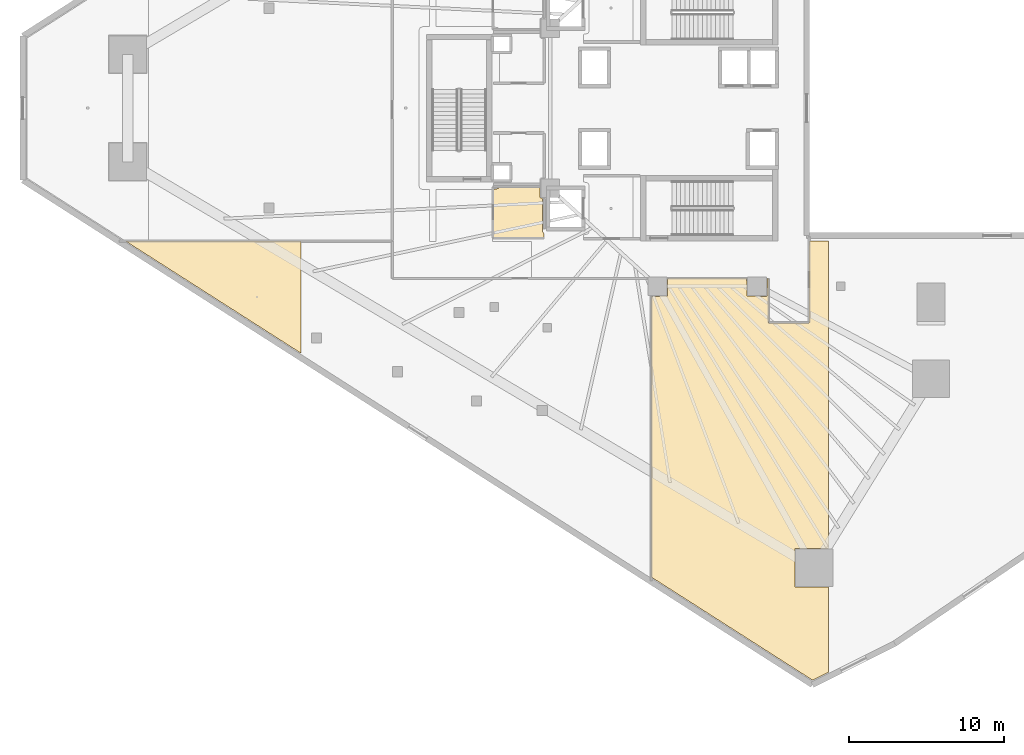
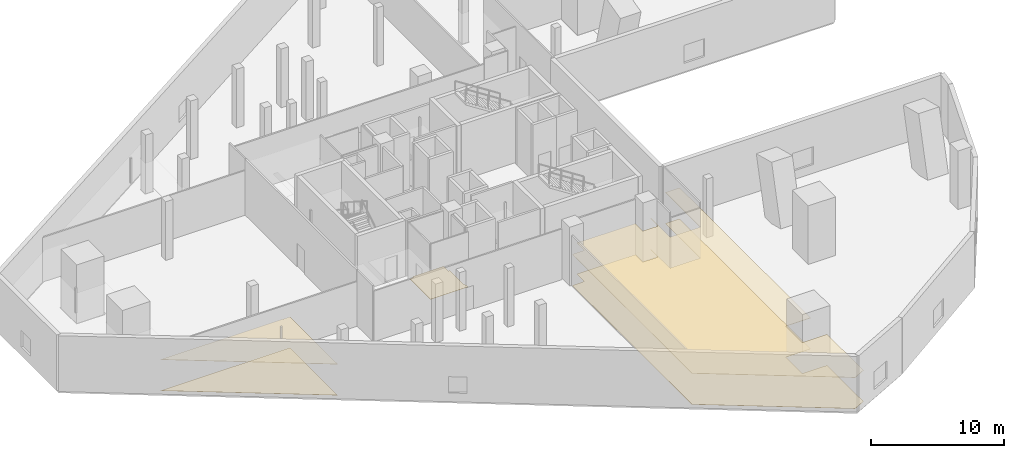
# One storey, part 39 of 47: 5 coverings.
"""IFC4 building model written with IfcOpenShell, lengths in metres."""

from ifc_helpers import new_model, si_unit, direction, frame, origin, place, context, subcontext, project, spatial, polyline, outline, extrude, material, layer, layer_set, type_object, element, save


model = new_model("IFC4")

# Units and contexts
model_context = context("Model", 3, precision=1e-05, world=origin(), true_north=direction((0.0, 1.0)))
body_context = subcontext(model_context, "Body", "Model", "MODEL_VIEW")
ifc_project = project(units=[si_unit("LENGTHUNIT", "METRE"), si_unit("AREAUNIT", "SQUARE_METRE"), si_unit("VOLUMEUNIT", "CUBIC_METRE"), si_unit("PLANEANGLEUNIT", "RADIAN"), si_unit("MASSUNIT", "GRAM", prefix="KILO")], contexts=[model_context])

# Site, building, storey
site_placement = place(None, origin())
site = spatial("IfcSite", under=ifc_project, at=site_placement, CompositionType="ELEMENT")
building_placement = place(site_placement, origin())
building = spatial("IfcBuilding", under=site, at=building_placement, Name="Qorvath Tower", CompositionType="ELEMENT")
storey_placement = place(building_placement, frame((0.0, 0.0, 6.60009765625)))
storey = spatial("IfcBuildingStorey", under=building, at=storey_placement, Name="L01", CompositionType="ELEMENT", Elevation=6.60009765625)

# Coverings
ifc_material_1 = material(Name="Acoustic mineral fibre ceiling tile", Category="gypsum")
ifc_layer_1 = layer(ifc_material_1, 0.030029296875)
ifc_layer_set_1 = layer_set([ifc_layer_1], Name="COV-CEIL")
covering_type_1 = type_object("IfcCoveringType", Name="COV-CEIL", PredefinedType="CEILING", material=ifc_layer_set_1)
covering_1_placement = place(storey_placement, frame((0.0, 0.0, 2.849853515625)))
element("IfcCovering", 1, at=covering_1_placement, inside=storey, type_object=covering_type_1, Name="L01 Suspended Acoustic Ceiling 011", PredefinedType="CEILING", context=body_context, shape_type="SweptSolid", body=[
    extrude(outline(polyline([(-12.600830078125, -36.2919921875), (-12.600830078125, -30.810546875), (-14.762451171875, -30.810546875), (-14.762451171875, -28.32568359375), (-12.600830078125, -28.32568359375), (-12.600830078125, -8.554931640625), (-13.8369140625, -8.554931640625), (-13.842041015625, -13.81298828125), (-16.46142578125, -13.8115234375), (-16.462890625, -10.962890625), (-16.5400390625, -10.962890625), (-16.5400390625, -12.050048828125), (-16.60009765625, -12.110107421875), (-17.842529296875, -12.092529296875), (-17.860107421875, -10.962890625), (-22.93994140625, -10.962890625), (-22.95751953125, -12.092529296875), (-23.9951171875, -12.110107421875), (-23.9951171875, -30.17041015625), (-13.619873046875, -36.801513671875), (-12.600830078125, -36.2919921875)])), origin(), (0.0, 0.0, 1.0), 0.030029296875),
])
covering_2_placement = place(storey_placement, frame((0.0, 0.0, 2.849853515625)))
element("IfcCovering", 2, at=covering_2_placement, inside=storey, type_object=covering_type_1, Name="L01 Suspended Acoustic Ceiling 012", PredefinedType="CEILING", context=body_context, shape_type="SweptSolid", body=[
    extrude(outline(polyline([(-57.815185546875, -8.554931640625), (-46.5478515625, -15.75634765625), (-46.5478515625, -8.554931640625), (-57.815185546875, -8.554931640625)])), origin(), (0.0, 0.0, 1.0), 0.030029296875),
])
ifc_material_2 = material(Name="Low-VOC modular carpet tile", Category="textile")
ifc_layer_2 = layer(ifc_material_2, 0.014892578125)
ifc_layer_set_2 = layer_set([ifc_layer_2], Name="COV-FLOOR-CPT")
covering_type_2 = type_object("IfcCoveringType", Name="COV-FLOOR-CPT", PredefinedType="FLOORING", material=ifc_layer_set_2)
covering_3_placement = place(storey_placement, origin())
element("IfcCovering", 3, at=covering_3_placement, inside=storey, type_object=covering_type_2, Name="L01 Floor Finish 011", PredefinedType="FLOORING", context=body_context, shape_type="SweptSolid", body=[
    extrude(outline(polyline([(-12.600830078125, -36.2919921875), (-12.600830078125, -30.810546875), (-14.762451171875, -30.810546875), (-14.762451171875, -28.32568359375), (-12.600830078125, -28.32568359375), (-12.600830078125, -8.554931640625), (-13.8369140625, -8.554931640625), (-13.842041015625, -13.81298828125), (-16.46142578125, -13.8115234375), (-16.462890625, -10.962890625), (-16.5400390625, -10.962890625), (-16.5400390625, -12.050048828125), (-16.60009765625, -12.110107421875), (-17.842529296875, -12.092529296875), (-17.860107421875, -10.962890625), (-22.93994140625, -10.962890625), (-22.95751953125, -12.092529296875), (-23.9951171875, -12.110107421875), (-23.9951171875, -30.17041015625), (-13.619873046875, -36.801513671875), (-12.600830078125, -36.2919921875)])), origin(), (0.0, 0.0, 1.0), 0.014892578125),
])
covering_4_placement = place(storey_placement, origin())
element("IfcCovering", 4, at=covering_4_placement, inside=storey, type_object=covering_type_2, Name="L01 Floor Finish 012", PredefinedType="FLOORING", context=body_context, shape_type="SweptSolid", body=[
    extrude(outline(polyline([(-57.815185546875, -8.554931640625), (-46.5478515625, -15.75634765625), (-46.5478515625, -8.554931640625), (-57.815185546875, -8.554931640625)])), origin(), (0.0, 0.0, 1.0), 0.014892578125),
])
ifc_material_3 = material(Name="Polished epoxy terrazzo flooring", Category="concrete")
ifc_layer_3 = layer(ifc_material_3, 0.02001953125)
ifc_layer_set_3 = layer_set([ifc_layer_3], Name="COV-FLOOR-TRZ")
covering_type_3 = type_object("IfcCoveringType", Name="COV-FLOOR-TRZ", PredefinedType="FLOORING", material=ifc_layer_set_3)
covering_5_placement = place(storey_placement, origin())
element("IfcCovering", 5, at=covering_5_placement, inside=storey, type_object=covering_type_3, Name="L01 Floor Finish 005", PredefinedType="FLOORING", context=body_context, shape_type="SweptSolid", body=[
    extrude(outline(polyline([(-31.159912109375, -5.054931640625), (-33.786865234375, -5.054931640625), (-33.833251953125, -5.166748046875), (-34.175048828125, -5.239990234375), (-34.175048828125, -8.344970703125), (-30.885009765625, -8.344970703125), (-30.885009765625, -8.108154296875), (-31.010009765625, -7.909912109375), (-31.010009765625, -5.81005859375), (-31.159912109375, -5.75), (-31.159912109375, -5.054931640625)])), origin(), (0.0, 0.0, 1.0), 0.014892578125),
])

save(model, "model.ifc")
